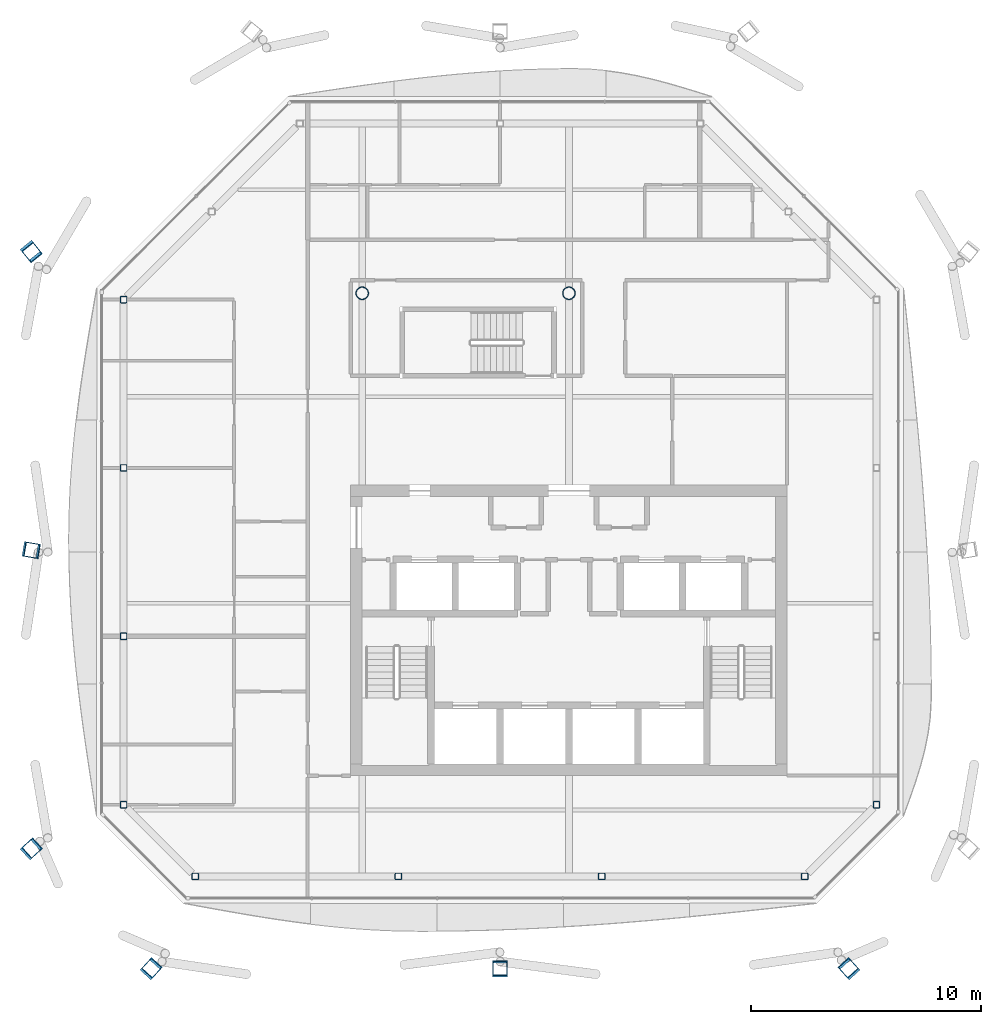
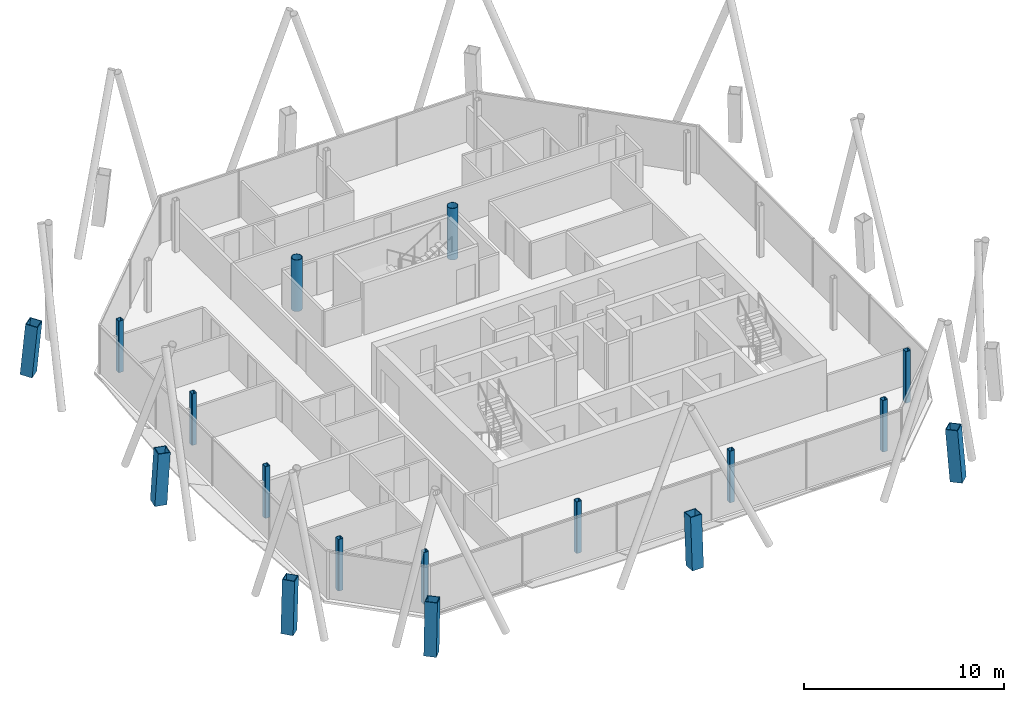
# One storey, part 1 of 16: 17 columns.
"""IFC4 building model written with IfcOpenShell, lengths in metres."""

from ifc_helpers import new_model, si_unit, direction, frame, origin, origin_2d, place, context, subcontext, project, spatial, hollow_rectangle, hollow_circle, extrude, material, material_profile, profile_set, type_object, element, save


model = new_model("IFC4")

# Units and contexts
model_context = context("Model", 3, precision=1e-05, world=origin(), true_north=direction((0.0, 1.0)))
body_context = subcontext(model_context, "Body", "Model", "MODEL_VIEW")
ifc_project = project(units=[si_unit("LENGTHUNIT", "METRE"), si_unit("AREAUNIT", "SQUARE_METRE"), si_unit("VOLUMEUNIT", "CUBIC_METRE"), si_unit("PLANEANGLEUNIT", "RADIAN"), si_unit("MASSUNIT", "GRAM", prefix="KILO")], contexts=[model_context])

# Site, building, storey
site_placement = place(None, origin())
site = spatial("IfcSite", under=ifc_project, at=site_placement, CompositionType="ELEMENT")
building_placement = place(site_placement, origin())
building = spatial("IfcBuilding", under=site, at=building_placement, Name="Tskaro Facet Tower", CompositionType="ELEMENT")
storey_placement = place(building_placement, frame((0.0, 0.0, 245.550048828125)))
storey = spatial("IfcBuildingStorey", under=building, at=storey_placement, Name="L64", CompositionType="ELEMENT", Elevation=245.550048828125)

# Columns
ifc_material_1 = material(Name="Steel S355J2", Category="steel")
ifc_material_profile_1 = material_profile(ifc_material_1, hollow_rectangle(XDim=0.64990234375, YDim=0.64990234375, WallThickness=0.0400390625, at=origin_2d()), Name="BOX 650x650x40")
ifc_profile_set_1 = profile_set([ifc_material_profile_1], Name="Steel S355J2")
column_type_1 = type_object("IfcColumnType", Name="BOX 650x650x40 mega column", PredefinedType="COLUMN", material=ifc_profile_set_1)
column_1_placement = place(storey_placement, frame((-18.218994140625, -20.44091796875, 0.0), z_axis=(0.052543735804, 0.057875379585, 0.99694011669), x_axis=(-0.740387195305, 0.672180631251, 0.0)))
element("IfcColumn", 1, at=column_1_placement, inside=storey, type_object=column_type_1, Name="BOX 650x650x40 MC01/5", PredefinedType="COLUMN", context=body_context, shape_type="SweptSolid", body=[
    extrude(hollow_rectangle(XDim=0.64990234375, YDim=0.64990234375, WallThickness=0.0400390625, at=origin_2d()), origin(), (0.0, 0.0, 1.0), 3.15966796875),
])
column_2_placement = place(storey_placement, frame((-3.0, -20.44091796875, 0.0), z_axis=(0.0, 0.057955437846, 0.998319171019), x_axis=(-1.0, 0.0, 0.0)))
element("IfcColumn", 2, at=column_2_placement, inside=storey, type_object=column_type_1, Name="BOX 650x650x40 MC02/5", PredefinedType="COLUMN", context=body_context, shape_type="SweptSolid", body=[
    extrude(hollow_rectangle(XDim=0.64990234375, YDim=0.64990234375, WallThickness=0.0400390625, at=origin_2d()), origin(), (0.0, 0.0, 1.0), 3.1552734375),
])
column_3_placement = place(storey_placement, frame((12.218994140625, -20.44091796875, 0.0), z_axis=(-0.052543735804, 0.057875379585, 0.99694011669), x_axis=(-0.740387195305, -0.672180631251, 0.0)))
element("IfcColumn", 3, at=column_3_placement, inside=storey, type_object=column_type_1, Name="BOX 650x650x40 MC03/5", PredefinedType="COLUMN", context=body_context, shape_type="SweptSolid", body=[
    extrude(hollow_rectangle(XDim=0.64990234375, YDim=0.64990234375, WallThickness=0.0400390625, at=origin_2d()), origin(), (0.0, 0.0, 1.0), 3.15966796875),
])
column_4_placement = place(storey_placement, frame((-23.44091796875, 10.85595703125, 0.0), z_axis=(0.057805961616, -0.071775092527, 0.995744348161), x_axis=(0.778822091241, 0.627244888537, 0.0)))
element("IfcColumn", 4, at=column_4_placement, inside=storey, type_object=column_type_1, Name="BOX 650x650x40 MC10/5", PredefinedType="COLUMN", context=body_context, shape_type="SweptSolid", body=[
    extrude(hollow_rectangle(XDim=0.64990234375, YDim=0.64990234375, WallThickness=0.0400390625, at=origin_2d()), origin(), (0.0, 0.0, 1.0), 3.163330078125),
])
column_5_placement = place(storey_placement, frame((-23.44091796875, -2.180908203125, 0.0), z_axis=(0.057952639735, -0.009826415549, 0.998270971783), x_axis=(0.167173292449, 0.98592752791, 0.0)))
element("IfcColumn", 5, at=column_5_placement, inside=storey, type_object=column_type_1, Name="BOX 650x650x40 MC11/5", PredefinedType="COLUMN", context=body_context, shape_type="SweptSolid", body=[
    extrude(hollow_rectangle(XDim=0.64990234375, YDim=0.64990234375, WallThickness=0.0400390625, at=origin_2d()), origin(), (0.0, 0.0, 1.0), 3.1552734375),
])
column_6_placement = place(storey_placement, frame((-23.44091796875, -15.218994140625, 0.0), z_axis=(0.057875379585, 0.052543735804, 0.99694011669), x_axis=(-0.672180631251, 0.740387195305, 0.0)))
element("IfcColumn", 6, at=column_6_placement, inside=storey, type_object=column_type_1, Name="BOX 650x650x40 MC12/5", PredefinedType="COLUMN", context=body_context, shape_type="SweptSolid", body=[
    extrude(hollow_rectangle(XDim=0.64990234375, YDim=0.64990234375, WallThickness=0.0400390625, at=origin_2d()), origin(), (0.0, 0.0, 1.0), 3.15966796875),
])
ifc_material_2 = material(Name="Steel S355J2H", Category="steel")
ifc_material_profile_2 = material_profile(ifc_material_2, hollow_circle(Radius=0.279541015625, WallThickness=0.02490234375, at=origin_2d()), Name="CHS 559x25")
ifc_profile_set_2 = profile_set([ifc_material_profile_2], Name="Steel S355J2H")
column_type_2 = type_object("IfcColumnType", Name="CHS 559x25 interior column", PredefinedType="COLUMN", material=ifc_profile_set_2)
for number, where, z_axis, x_axis, name in (
    (7, (-9.0, 9.0, 0.0), (0.0, 0.0, 1.0), (1.0, 0.0, 0.0), "CHS 559x25 C3E/5"),
    (8, (0.0, 9.0, 0.0), (0.0, 0.0, 1.0), (1.0, 0.0, 0.0), "CHS 559x25 C4E/5"),
):
    element("IfcColumn", number, at=place(storey_placement, frame(where, z_axis=z_axis, x_axis=x_axis)), inside=storey, type_object=column_type_2, Name=name, PredefinedType="COLUMN", context=body_context, shape_type="SweptSolid", body=[
        extrude(hollow_circle(Radius=0.279541015625, WallThickness=0.02490234375, at=origin_2d()), origin(), (0.0, 0.0, 1.0), 3.14990234375),
    ])
ifc_material_profile_3 = material_profile(ifc_material_2, hollow_rectangle(XDim=0.300048828125, YDim=0.300048828125, WallThickness=0.02001953125, InnerFilletRadius=0.030029296875, OuterFilletRadius=0.050048828125, at=origin_2d()), Name="SHS 300x300x20")
ifc_profile_set_3 = profile_set([ifc_material_profile_3], Name="Steel S355J2H")
column_type_3 = type_object("IfcColumnType", Name="SHS 300x300x20 ring column", PredefinedType="COLUMN", material=ifc_profile_set_3)
for number, where, z_axis, x_axis, name in (
    (9, (-16.26806640625, -16.39111328125, 0.0), (0.0, 0.0, 1.0), (1.0, 0.0, 0.0), "SHS 300x300x20 RS-1/5"),
    (10, (-7.423095703125, -16.39111328125, 0.0), (0.0, 0.0, 1.0), (1.0, 0.0, 0.0), "SHS 300x300x20 RS-2/5"),
    (11, (1.423095703125, -16.39111328125, 0.0), (0.0, 0.0, 1.0), (1.0, 0.0, 0.0), "SHS 300x300x20 RS-3/5"),
    (12, (10.26806640625, -16.39111328125, 0.0), (0.0, 0.0, 1.0), (1.0, 0.0, 0.0), "SHS 300x300x20 RSE-1/5"),
    (13, (13.39111328125, -13.26806640625, 0.0), (0.0, 0.0, 1.0), (1.0, 0.0, 0.0), "SHS 300x300x20 RE-1/5"),
    (14, (-19.39111328125, 8.72509765625, 0.0), (0.0, 0.0, 1.0), (1.0, 0.0, 0.0), "SHS 300x300x20 RW-1/5"),
    (15, (-19.39111328125, 1.39404296875, 0.0), (0.0, 0.0, 1.0), (1.0, 0.0, 0.0), "SHS 300x300x20 RW-2/5"),
    (16, (-19.39111328125, -5.93701171875, 0.0), (0.0, 0.0, 1.0), (1.0, 0.0, 0.0), "SHS 300x300x20 RW-3/5"),
    (17, (-19.39111328125, -13.26806640625, 0.0), (0.0, 0.0, 1.0), (1.0, 0.0, 0.0), "SHS 300x300x20 RSW-1/5"),
):
    element("IfcColumn", number, at=place(storey_placement, frame(where, z_axis=z_axis, x_axis=x_axis)), inside=storey, type_object=column_type_3, Name=name, PredefinedType="COLUMN", context=body_context, shape_type="SweptSolid", body=[
        extrude(hollow_rectangle(XDim=0.300048828125, YDim=0.300048828125, WallThickness=0.02001953125, InnerFilletRadius=0.030029296875, OuterFilletRadius=0.050048828125, at=origin_2d()), origin(), (0.0, 0.0, 1.0), 3.14990234375),
    ])

save(model, "model.ifc")
